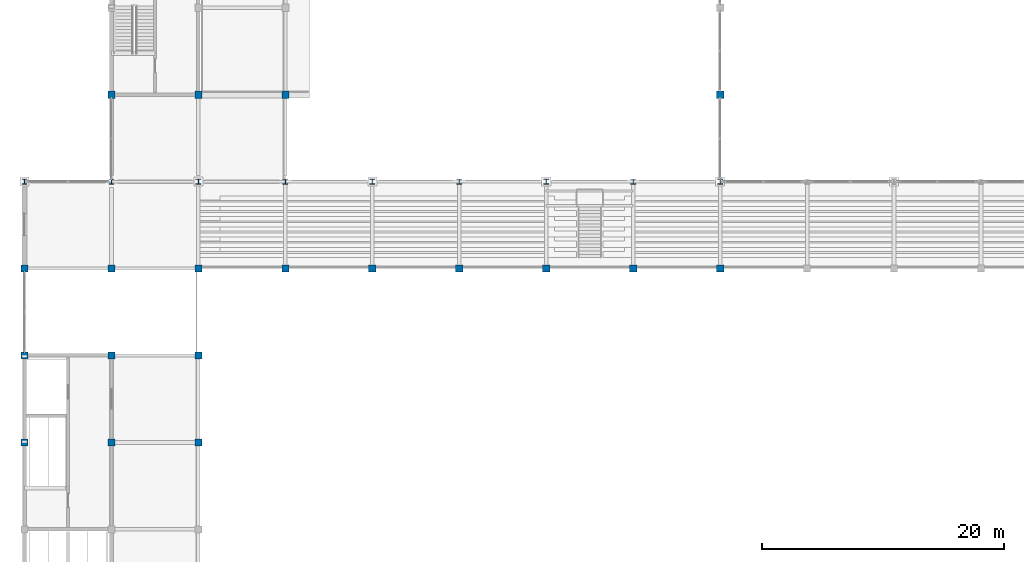
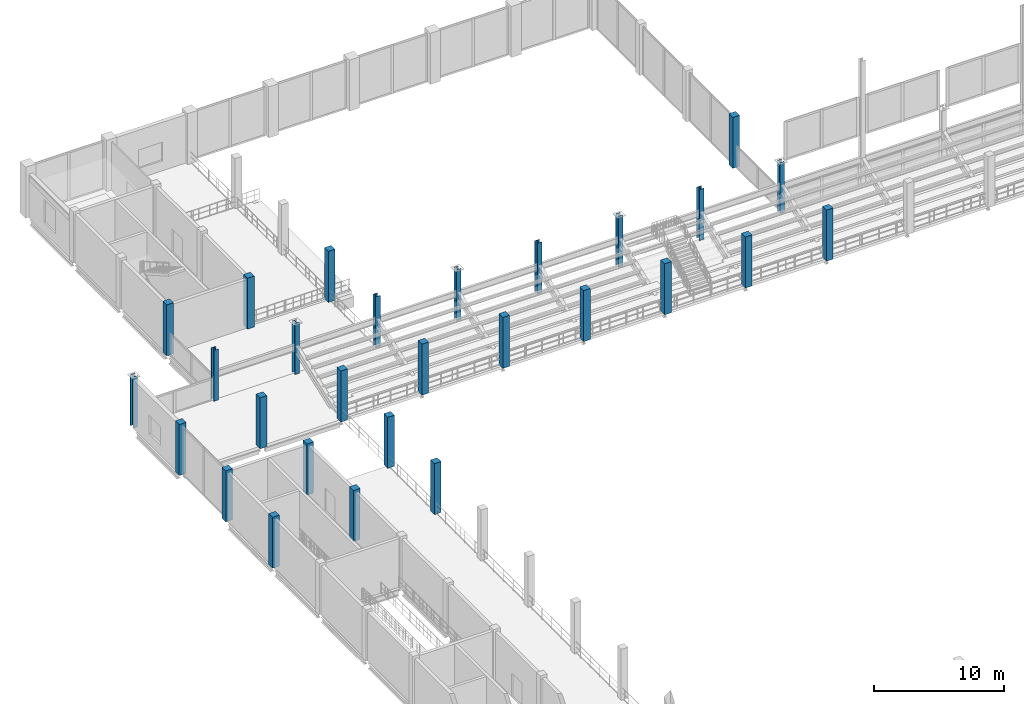
# One storey, part 6 of 120: 28 columns.
"""IFC4 building model written with IfcOpenShell, lengths in metres."""

import ifcopenshell
import ifcopenshell.guid

model = None  # the IFC model being written
_history = None  # IfcOwnerHistory: only IFC2X3 demands one
_inside = {}  # id of a spatial element -> (the spatial element, [elements in it])
_under = {}  # id of a project, library or spatial element -> (it, [spatial elements below it])
_declared = {}  # id of a project -> (the project, [libraries it declares])
_typed = {}  # id of a type object -> (the type object, [elements of that type])
_made_of = {}  # id of a material, layer set ... -> (it, [elements and type objects made of it])


def new_model(schema):
    """Start an empty IFC model of exactly this schema.

    Asked for "IFC4X3", IfcOpenShell would pick the latest addendum, in which some entities
    have other attributes; the version numbers below select the first issue.
    IFC2X3 requires an IfcOwnerHistory on every rooted entity: one is made here for all.
    """
    global model, _history
    if schema == "IFC4X3":
        model = ifcopenshell.file(schema_version=(4, 3, 0, 0))
    else:
        model = ifcopenshell.file(schema=schema)
    _inside.clear()
    _under.clear()
    _declared.clear()
    _typed.clear()
    _made_of.clear()
    _history = None
    if model.schema == "IFC2X3":
        org = make("IfcOrganization", Name="unknown")
        user = make(
            "IfcPersonAndOrganization",
            ThePerson=make("IfcPerson", FamilyName="unknown"),
            TheOrganization=org,
        )
        app = make(
            "IfcApplication",
            ApplicationDeveloper=org,
            Version="unknown",
            ApplicationFullName="unknown",
            ApplicationIdentifier="unknown",
        )
        _history = make(
            "IfcOwnerHistory",
            OwningUser=user,
            OwningApplication=app,
            ChangeAction="ADDED",
            CreationDate=0,
        )
    return model


def make(cls, **values):
    """One entity of the class cls with the attributes given. An attribute that is None is left unset."""
    return model.create_entity(
        cls, **{name: value for name, value in values.items() if value is not None}
    )


def rooted(cls, **values):
    """An entity with a GlobalId (a new one), such as an element, a storey or a relation."""
    return make(cls, GlobalId=ifcopenshell.guid.new(), OwnerHistory=_history, **values)


def si_unit(unit_type, name, prefix=None):
    """IfcSIUnit, for example si_unit("LENGTHUNIT", "METRE", prefix="MILLI")."""
    return make("IfcSIUnit", UnitType=unit_type, Prefix=prefix, Name=name)


def assignment(units):
    """IfcUnitAssignment: the units of a project."""
    return None if units is None else make("IfcUnitAssignment", Units=units)


def point(xyz):
    """IfcCartesianPoint."""
    return None if xyz is None else make("IfcCartesianPoint", Coordinates=xyz)


def direction(xyz):
    """IfcDirection."""
    return None if xyz is None else make("IfcDirection", DirectionRatios=xyz)


def frame(location, z_axis=None, x_axis=None):
    """IfcAxis2Placement3D, a coordinate frame: its origin and axes. An axis left out is left unset."""
    return make(
        "IfcAxis2Placement3D",
        Location=point(location),
        Axis=direction(z_axis),
        RefDirection=direction(x_axis),
    )


def frame_2d(location, x_axis=None):
    """IfcAxis2Placement2D, a coordinate frame in the plane: its origin and x axis."""
    return make(
        "IfcAxis2Placement2D", Location=point(location), RefDirection=direction(x_axis)
    )


def origin():
    """The frame at (0, 0, 0) with its axes left unset."""
    return frame((0.0, 0.0, 0.0))


def origin_2d():
    """The frame at (0, 0) in the plane with its x axis left unset."""
    return frame_2d((0.0, 0.0))


def place(relative_to, where):
    """IfcLocalPlacement: puts the frame where relative to a parent placement (None: the world)."""
    return make(
        "IfcLocalPlacement", PlacementRelTo=relative_to, RelativePlacement=where
    )


def context(
    kind, dimensions, precision=None, world=None, true_north=None, identifier=None
):
    """IfcGeometricRepresentationContext, for example the 3D "Model" context."""
    return make(
        "IfcGeometricRepresentationContext",
        ContextIdentifier=identifier,
        ContextType=kind,
        CoordinateSpaceDimension=dimensions,
        Precision=precision,
        WorldCoordinateSystem=world,
        TrueNorth=true_north,
    )


def subcontext(parent, identifier, kind, view, scale=None):
    """IfcGeometricRepresentationSubContext, for example "Body" below "Model"."""
    return make(
        "IfcGeometricRepresentationSubContext",
        ContextIdentifier=identifier,
        ContextType=kind,
        ParentContext=parent,
        TargetScale=scale,
        TargetView=view,
    )


def project(units=None, contexts=None):
    """IfcProject with its units and contexts."""
    return rooted(
        "IfcProject",
        Name="project",
        RepresentationContexts=contexts,
        UnitsInContext=assignment(units),
    )


def spatial(cls, under=None, at=None, **own):
    """A site, building, storey or space (cls), placed at a placement, below another one or the project."""
    s = rooted(cls, ObjectPlacement=at, **own)
    if under is not None:
        _under.setdefault(under.id(), (under, []))[1].append(s)
    return s


def profile(cls, at=None, kind="AREA", **sizes):
    """A parametric profile (cls). Its sizes go by their IFC names, for example OverallWidth=200.0."""
    return make(cls, ProfileType=kind, Position=at, **sizes)


def rectangle(**sizes):
    """IfcRectangleProfileDef."""
    return profile("IfcRectangleProfileDef", **sizes)


def i_section(**sizes):
    """IfcIShapeProfileDef."""
    return profile("IfcIShapeProfileDef", **sizes)


def extrude(swept, where, along, depth):
    """IfcExtrudedAreaSolid: the profile swept, set in the frame where, extruded along a direction by depth."""
    return make(
        "IfcExtrudedAreaSolid",
        SweptArea=swept,
        Position=where,
        ExtrudedDirection=direction(along),
        Depth=depth,
    )


def shape(context_of_items, identifier, shape_type, items):
    """IfcShapeRepresentation: the items that make up one representation, for example the "Body"."""
    return make(
        "IfcShapeRepresentation",
        ContextOfItems=context_of_items,
        RepresentationIdentifier=identifier,
        RepresentationType=shape_type,
        Items=items,
    )


def material(Name=None, Category=None):
    """IfcMaterial."""
    return make("IfcMaterial", Name=Name, Category=Category)


def material_profile(
    of_material, cross_section, Name=None, Category=None, Priority=None
):
    """IfcMaterialProfile: a cross section and its material."""
    return make(
        "IfcMaterialProfile",
        Name=Name,
        Material=of_material,
        Profile=cross_section,
        Priority=Priority,
        Category=Category,
    )


def profile_set(profiles, Name=None, composite=None):
    """IfcMaterialProfileSet."""
    return make(
        "IfcMaterialProfileSet",
        Name=Name,
        MaterialProfiles=profiles,
        CompositeProfile=composite,
    )


def made_of(thing, what):
    """Note that an element or type object is made of a material, layer set ...; save() writes the relation."""
    if what is not None:
        _made_of.setdefault(what.id(), (what, []))[1].append(thing)
    return thing


def type_object(cls, material=None, **own):
    """A type object (cls), such as IfcWallType, which elements share."""
    return made_of(rooted(cls, **own), material)


def element(
    cls,
    number,
    at=None,
    inside=None,
    cuts=None,
    type_object=None,
    material=None,
    context=None,
    identifier="Body",
    shape_type=None,
    held_by="IfcProductDefinitionShape",
    body=None,
    shapes=None,
    **own,
):
    """One element of the class cls, such as IfcWall. Its Tag is "e" and its number.

    at: its placement. inside: the storey or other place that contains it. cuts: it is an
    opening in that element (IfcRelVoidsElement). A single representation is given by context,
    identifier, shape_type and body (its items); several are given by shapes. held_by: the class
    of the entity that holds the representations. save() writes the other relations.
    """
    e = rooted(cls, Tag="e%d" % number, ObjectPlacement=at, **own)
    if body is not None:
        shapes = [shape(context, identifier, shape_type, body)]
    if shapes is not None:
        e.Representation = make(held_by, Representations=shapes)
    if inside is not None:
        _inside.setdefault(inside.id(), (inside, []))[1].append(e)
    if cuts is not None:
        rooted(
            "IfcRelVoidsElement", RelatingBuildingElement=cuts, RelatedOpeningElement=e
        )
    if type_object is not None:
        _typed.setdefault(type_object.id(), (type_object, []))[1].append(e)
    return made_of(e, material)


def aggregate(whole, parts):
    """IfcRelAggregates: a whole, such as a stair, and the parts it consists of."""
    return rooted("IfcRelAggregates", RelatingObject=whole, RelatedObjects=parts)


def save(model, path):
    """Write the relations noted so far, then the file.

    IfcRelAggregates (storeys below a building ...), IfcRelContainedInSpatialStructure (elements
    in a storey), IfcRelDefinesByType, IfcRelAssociatesMaterial and IfcRelDeclares: one each for
    every whole, place, type object, material and project.
    """
    for whole, parts in _under.values():
        aggregate(whole, parts)
    for where, things in _inside.values():
        rooted(
            "IfcRelContainedInSpatialStructure",
            RelatedElements=things,
            RelatingStructure=where,
        )
    for kind, things in _typed.values():
        rooted("IfcRelDefinesByType", RelatedObjects=things, RelatingType=kind)
    for what, things in _made_of.values():
        rooted("IfcRelAssociatesMaterial", RelatedObjects=things, RelatingMaterial=what)
    for by, libraries in _declared.values():
        rooted("IfcRelDeclares", RelatingContext=by, RelatedDefinitions=libraries)
    model.write(path)


model = new_model("IFC4")

# Units and contexts
model_context = context("Model", 3, precision=1e-05, world=origin(), true_north=direction((0.0, 1.0)))
body_context = subcontext(model_context, "Body", "Model", "MODEL_VIEW")
ifc_project = project(units=[si_unit("LENGTHUNIT", "METRE"), si_unit("AREAUNIT", "SQUARE_METRE"), si_unit("VOLUMEUNIT", "CUBIC_METRE"), si_unit("PLANEANGLEUNIT", "RADIAN"), si_unit("MASSUNIT", "GRAM", prefix="KILO")], contexts=[model_context])

# Site, building, storey
site_placement = place(None, origin())
site = spatial("IfcSite", under=ifc_project, at=site_placement, CompositionType="ELEMENT")
building_placement = place(site_placement, origin())
building = spatial("IfcBuilding", under=site, at=building_placement, Name="Vesperath Aquatics Centre", CompositionType="ELEMENT")
storey_placement = place(building_placement, frame((0.0, 0.0, 10.199951171875)))
storey = spatial("IfcBuildingStorey", under=building, at=storey_placement, Name="L02", CompositionType="ELEMENT", Elevation=10.199951171875)

# Columns
ifc_material_1 = material(Name="Concrete C40", Category="concrete")
ifc_material_profile_1 = material_profile(ifc_material_1, rectangle(XDim=0.60009765625, YDim=0.60009765625, at=origin_2d()), Name="RC 600x600")
ifc_profile_set_1 = profile_set([ifc_material_profile_1], Name="Concrete C40")
column_type_1 = type_object("IfcColumnType", Name="CL-C06", PredefinedType="COLUMN", material=ifc_profile_set_1)
for number, where, z_axis, x_axis, name in (
    (1, (0.0, 64.800048828125, 0.0), (0.0, 0.0, 1.0), (1.0, 0.0, 0.0), "Column C06 L02 1/K"),
    (2, (0.0, 72.0, 0.0), (0.0, 0.0, 1.0), (1.0, 0.0, 0.0), "Column C06 L02 1/L"),
    (3, (0.0, 79.199951171875, 0.0), (0.0, 0.0, 1.0), (1.0, 0.0, 0.0), "Column C06 L02 1/M"),
    (4, (7.199951171875, 64.800048828125, 0.0), (0.0, 0.0, 1.0), (1.0, 0.0, 0.0), "Column C06 L02 2/K"),
    (5, (7.199951171875, 72.0, 0.0), (0.0, 0.0, 1.0), (1.0, 0.0, 0.0), "Column C06 L02 2/L"),
    (6, (7.199951171875, 79.199951171875, 0.0), (0.0, 0.0, 1.0), (1.0, 0.0, 0.0), "Column C06 L02 2/M"),
    (7, (7.199951171875, 93.60009765625, 0.0), (0.0, 0.0, 1.0), (1.0, 0.0, 0.0), "Column C06 L02 2/P"),
    (8, (14.39990234375, 64.800048828125, 0.0), (0.0, 0.0, 1.0), (1.0, 0.0, 0.0), "Column C06 L02 3/K"),
    (9, (14.39990234375, 72.0, 0.0), (0.0, 0.0, 1.0), (1.0, 0.0, 0.0), "Column C06 L02 3/L"),
    (10, (14.39990234375, 79.199951171875, 0.0), (0.0, 0.0, 1.0), (1.0, 0.0, 0.0), "Column C06 L02 3/M"),
    (11, (14.39990234375, 93.60009765625, 0.0), (0.0, 0.0, 1.0), (1.0, 0.0, 0.0), "Column C06 L02 3/P"),
    (12, (21.60009765625, 79.199951171875, 0.0), (0.0, 0.0, 1.0), (1.0, 0.0, 0.0), "Column C06 L02 4/M"),
    (13, (21.60009765625, 93.60009765625, 0.0), (0.0, 0.0, 1.0), (1.0, 0.0, 0.0), "Column C06 L02 4/P"),
    (14, (28.800048828125, 79.199951171875, 0.0), (0.0, 0.0, 1.0), (1.0, 0.0, 0.0), "Column C06 L02 5/M"),
    (15, (36.0, 79.199951171875, 0.0), (0.0, 0.0, 1.0), (1.0, 0.0, 0.0), "Column C06 L02 6/M"),
    (16, (43.199951171875, 79.199951171875, 0.0), (0.0, 0.0, 1.0), (1.0, 0.0, 0.0), "Column C06 L02 7/M"),
    (17, (50.39990234375, 79.199951171875, 0.0), (0.0, 0.0, 1.0), (1.0, 0.0, 0.0), "Column C06 L02 8/M"),
    (18, (57.60009765625, 79.199951171875, 0.0), (0.0, 0.0, 1.0), (1.0, 0.0, 0.0), "Column C06 L02 9/M"),
    (19, (57.60009765625, 93.60009765625, 0.0), (0.0, 0.0, 1.0), (1.0, 0.0, 0.0), "Column C06 L02 9/P"),
):
    element("IfcColumn", number, at=place(storey_placement, frame(where, z_axis=z_axis, x_axis=x_axis)), inside=storey, type_object=column_type_1, Name=name, PredefinedType="COLUMN", context=body_context, shape_type="SweptSolid", body=[
        extrude(rectangle(XDim=0.60009765625, YDim=0.60009765625, at=origin_2d()), origin(), (0.0, 0.0, 1.0), 4.800048828125),
    ])
ifc_material_2 = material(Name="Steel Q355D", Category="steel")
ifc_material_profile_2 = material_profile(ifc_material_2, i_section(OverallWidth=0.406982421875, OverallDepth=0.427978515625, WebThickness=0.02001953125, FlangeThickness=0.034912109375, FilletRadius=0.02197265625, at=origin_2d()), Name="HW 428x407x20x35")
ifc_profile_set_2 = profile_set([ifc_material_profile_2], Name="Steel Q355D")
column_type_2 = type_object("IfcColumnType", Name="CL-C09", PredefinedType="COLUMN", material=ifc_profile_set_2)
for number, where, z_axis, x_axis, name in (
    (20, (0.0, 86.39990234375, 0.0), (0.0, 0.0, 1.0), (1.0, 0.0, 0.0), "Column C09 L02 1/N"),
    (21, (7.199951171875, 86.39990234375, 0.0), (0.0, 0.0, 1.0), (1.0, 0.0, 0.0), "Column C09 L02 2/N"),
    (22, (14.39990234375, 86.39990234375, 0.0), (0.0, 0.0, 1.0), (1.0, 0.0, 0.0), "Column C09 L02 3/N"),
    (23, (21.60009765625, 86.39990234375, 0.0), (0.0, 0.0, 1.0), (1.0, 0.0, 0.0), "Column C09 L02 4/N"),
    (24, (28.800048828125, 86.39990234375, 0.0), (0.0, 0.0, 1.0), (1.0, 0.0, 0.0), "Column C09 L02 5/N"),
    (25, (36.0, 86.39990234375, 0.0), (0.0, 0.0, 1.0), (1.0, 0.0, 0.0), "Column C09 L02 6/N"),
    (26, (43.199951171875, 86.39990234375, 0.0), (0.0, 0.0, 1.0), (1.0, 0.0, 0.0), "Column C09 L02 7/N"),
    (27, (50.39990234375, 86.39990234375, 0.0), (0.0, 0.0, 1.0), (1.0, 0.0, 0.0), "Column C09 L02 8/N"),
    (28, (57.60009765625, 86.39990234375, 0.0), (0.0, 0.0, 1.0), (1.0, 0.0, 0.0), "Column C09 L02 9/N"),
):
    element("IfcColumn", number, at=place(storey_placement, frame(where, z_axis=z_axis, x_axis=x_axis)), inside=storey, type_object=column_type_2, Name=name, PredefinedType="COLUMN", context=body_context, shape_type="SweptSolid", body=[
        extrude(i_section(OverallWidth=0.406982421875, OverallDepth=0.427978515625, WebThickness=0.02001953125, FlangeThickness=0.034912109375, FilletRadius=0.02197265625, at=origin_2d()), origin(), (0.0, 0.0, 1.0), 4.800048828125),
    ])

save(model, "model.ifc")
